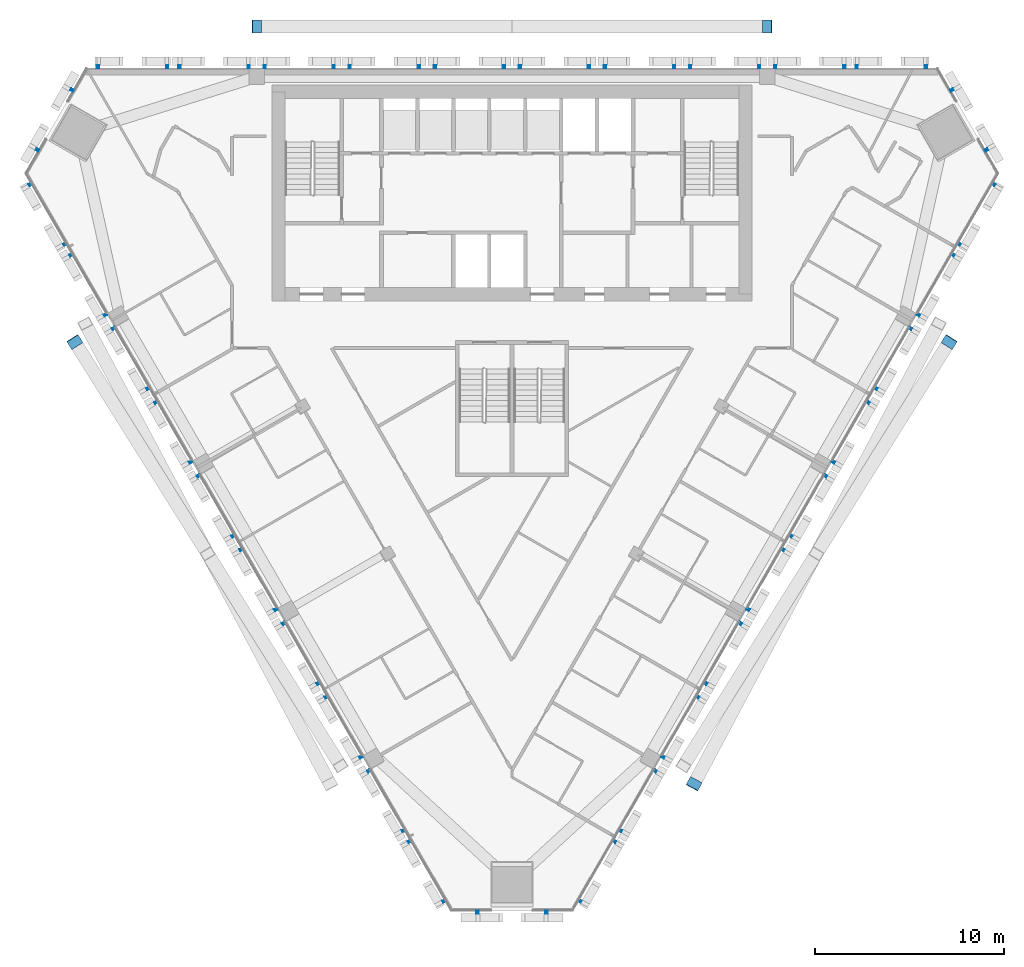
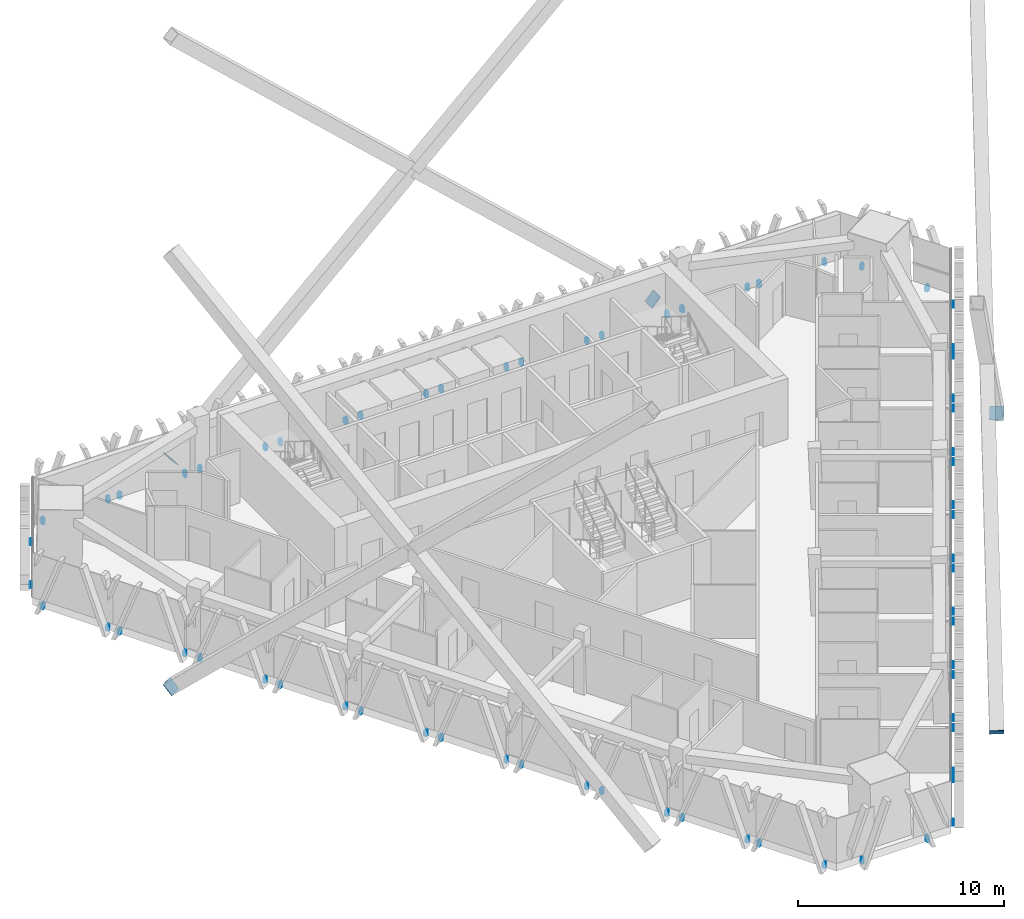
# One storey, part 14 of 17: 11 discrete accessories.
"""IFC4 building model written with IfcOpenShell, lengths in metres."""

import ifcopenshell
import ifcopenshell.guid

model = None  # the IFC model being written
_history = None  # IfcOwnerHistory: only IFC2X3 demands one
_inside = {}  # id of a spatial element -> (the spatial element, [elements in it])
_under = {}  # id of a project, library or spatial element -> (it, [spatial elements below it])
_declared = {}  # id of a project -> (the project, [libraries it declares])
_typed = {}  # id of a type object -> (the type object, [elements of that type])
_made_of = {}  # id of a material, layer set ... -> (it, [elements and type objects made of it])


def new_model(schema):
    """Start an empty IFC model of exactly this schema.

    Asked for "IFC4X3", IfcOpenShell would pick the latest addendum, in which some entities
    have other attributes; the version numbers below select the first issue.
    IFC2X3 requires an IfcOwnerHistory on every rooted entity: one is made here for all.
    """
    global model, _history
    if schema == "IFC4X3":
        model = ifcopenshell.file(schema_version=(4, 3, 0, 0))
    else:
        model = ifcopenshell.file(schema=schema)
    _inside.clear()
    _under.clear()
    _declared.clear()
    _typed.clear()
    _made_of.clear()
    _history = None
    if model.schema == "IFC2X3":
        org = make("IfcOrganization", Name="unknown")
        user = make(
            "IfcPersonAndOrganization",
            ThePerson=make("IfcPerson", FamilyName="unknown"),
            TheOrganization=org,
        )
        app = make(
            "IfcApplication",
            ApplicationDeveloper=org,
            Version="unknown",
            ApplicationFullName="unknown",
            ApplicationIdentifier="unknown",
        )
        _history = make(
            "IfcOwnerHistory",
            OwningUser=user,
            OwningApplication=app,
            ChangeAction="ADDED",
            CreationDate=0,
        )
    return model


def make(cls, **values):
    """One entity of the class cls with the attributes given. An attribute that is None is left unset."""
    return model.create_entity(
        cls, **{name: value for name, value in values.items() if value is not None}
    )


def rooted(cls, **values):
    """An entity with a GlobalId (a new one), such as an element, a storey or a relation."""
    return make(cls, GlobalId=ifcopenshell.guid.new(), OwnerHistory=_history, **values)


def si_unit(unit_type, name, prefix=None):
    """IfcSIUnit, for example si_unit("LENGTHUNIT", "METRE", prefix="MILLI")."""
    return make("IfcSIUnit", UnitType=unit_type, Prefix=prefix, Name=name)


def assignment(units):
    """IfcUnitAssignment: the units of a project."""
    return None if units is None else make("IfcUnitAssignment", Units=units)


def point(xyz):
    """IfcCartesianPoint."""
    return None if xyz is None else make("IfcCartesianPoint", Coordinates=xyz)


def direction(xyz):
    """IfcDirection."""
    return None if xyz is None else make("IfcDirection", DirectionRatios=xyz)


def frame(location, z_axis=None, x_axis=None):
    """IfcAxis2Placement3D, a coordinate frame: its origin and axes. An axis left out is left unset."""
    return make(
        "IfcAxis2Placement3D",
        Location=point(location),
        Axis=direction(z_axis),
        RefDirection=direction(x_axis),
    )


def frame_2d(location, x_axis=None):
    """IfcAxis2Placement2D, a coordinate frame in the plane: its origin and x axis."""
    return make(
        "IfcAxis2Placement2D", Location=point(location), RefDirection=direction(x_axis)
    )


def origin():
    """The frame at (0, 0, 0) with its axes left unset."""
    return frame((0.0, 0.0, 0.0))


def origin_2d():
    """The frame at (0, 0) in the plane with its x axis left unset."""
    return frame_2d((0.0, 0.0))


def place(relative_to, where):
    """IfcLocalPlacement: puts the frame where relative to a parent placement (None: the world)."""
    return make(
        "IfcLocalPlacement", PlacementRelTo=relative_to, RelativePlacement=where
    )


def context(
    kind, dimensions, precision=None, world=None, true_north=None, identifier=None
):
    """IfcGeometricRepresentationContext, for example the 3D "Model" context."""
    return make(
        "IfcGeometricRepresentationContext",
        ContextIdentifier=identifier,
        ContextType=kind,
        CoordinateSpaceDimension=dimensions,
        Precision=precision,
        WorldCoordinateSystem=world,
        TrueNorth=true_north,
    )


def subcontext(parent, identifier, kind, view, scale=None):
    """IfcGeometricRepresentationSubContext, for example "Body" below "Model"."""
    return make(
        "IfcGeometricRepresentationSubContext",
        ContextIdentifier=identifier,
        ContextType=kind,
        ParentContext=parent,
        TargetScale=scale,
        TargetView=view,
    )


def project(units=None, contexts=None):
    """IfcProject with its units and contexts."""
    return rooted(
        "IfcProject",
        Name="project",
        RepresentationContexts=contexts,
        UnitsInContext=assignment(units),
    )


def spatial(cls, under=None, at=None, **own):
    """A site, building, storey or space (cls), placed at a placement, below another one or the project."""
    s = rooted(cls, ObjectPlacement=at, **own)
    if under is not None:
        _under.setdefault(under.id(), (under, []))[1].append(s)
    return s


def polyline(points):
    """IfcPolyline through the points."""
    return make("IfcPolyline", Points=[point(p) for p in points])


def profile(cls, at=None, kind="AREA", **sizes):
    """A parametric profile (cls). Its sizes go by their IFC names, for example OverallWidth=200.0."""
    return make(cls, ProfileType=kind, Position=at, **sizes)


def rectangle(**sizes):
    """IfcRectangleProfileDef."""
    return profile("IfcRectangleProfileDef", **sizes)


def outline(outer, holes=None, kind="AREA"):
    """IfcArbitraryClosedProfileDef: a profile drawn as a closed curve; with holes, ...WithVoids."""
    if holes is None:
        return make("IfcArbitraryClosedProfileDef", ProfileType=kind, OuterCurve=outer)
    return make(
        "IfcArbitraryProfileDefWithVoids",
        ProfileType=kind,
        OuterCurve=outer,
        InnerCurves=holes,
    )


def extrude(swept, where, along, depth):
    """IfcExtrudedAreaSolid: the profile swept, set in the frame where, extruded along a direction by depth."""
    return make(
        "IfcExtrudedAreaSolid",
        SweptArea=swept,
        Position=where,
        ExtrudedDirection=direction(along),
        Depth=depth,
    )


def shape(context_of_items, identifier, shape_type, items):
    """IfcShapeRepresentation: the items that make up one representation, for example the "Body"."""
    return make(
        "IfcShapeRepresentation",
        ContextOfItems=context_of_items,
        RepresentationIdentifier=identifier,
        RepresentationType=shape_type,
        Items=items,
    )


def source(mapping_origin, context_of_items, identifier, shape_type, items):
    """IfcRepresentationMap: a shape defined once, which mapped items show again and again."""
    return make(
        "IfcRepresentationMap",
        MappingOrigin=mapping_origin,
        MappedRepresentation=shape(context_of_items, identifier, shape_type, items),
    )


def transform(
    local_origin,
    x_axis=None,
    y_axis=None,
    z_axis=None,
    scale=None,
    scale2=None,
    scale3=None,
    uniform=True,
):
    """IfcCartesianTransformationOperator3D, or its non-uniform kind. x_axis, y_axis, z_axis: its Axis1, 2, 3."""
    if uniform:
        return make(
            "IfcCartesianTransformationOperator3D",
            Axis1=direction(x_axis),
            Axis2=direction(y_axis),
            LocalOrigin=point(local_origin),
            Scale=scale,
            Axis3=direction(z_axis),
        )
    return make(
        "IfcCartesianTransformationOperator3DnonUniform",
        Axis1=direction(x_axis),
        Axis2=direction(y_axis),
        LocalOrigin=point(local_origin),
        Scale=scale,
        Axis3=direction(z_axis),
        Scale2=scale2,
        Scale3=scale3,
    )


def mapped(mapping_source, mapping_target):
    """IfcMappedItem: shows the shape of a source again, moved by a transform."""
    return make(
        "IfcMappedItem", MappingSource=mapping_source, MappingTarget=mapping_target
    )


def material(Name=None, Category=None):
    """IfcMaterial."""
    return make("IfcMaterial", Name=Name, Category=Category)


def material_profile(
    of_material, cross_section, Name=None, Category=None, Priority=None
):
    """IfcMaterialProfile: a cross section and its material."""
    return make(
        "IfcMaterialProfile",
        Name=Name,
        Material=of_material,
        Profile=cross_section,
        Priority=Priority,
        Category=Category,
    )


def profile_set(profiles, Name=None, composite=None):
    """IfcMaterialProfileSet."""
    return make(
        "IfcMaterialProfileSet",
        Name=Name,
        MaterialProfiles=profiles,
        CompositeProfile=composite,
    )


def made_of(thing, what):
    """Note that an element or type object is made of a material, layer set ...; save() writes the relation."""
    if what is not None:
        _made_of.setdefault(what.id(), (what, []))[1].append(thing)
    return thing


def type_object(cls, material=None, **own):
    """A type object (cls), such as IfcWallType, which elements share."""
    return made_of(rooted(cls, **own), material)


def element(
    cls,
    number,
    at=None,
    inside=None,
    cuts=None,
    type_object=None,
    material=None,
    context=None,
    identifier="Body",
    shape_type=None,
    held_by="IfcProductDefinitionShape",
    body=None,
    shapes=None,
    **own,
):
    """One element of the class cls, such as IfcWall. Its Tag is "e" and its number.

    at: its placement. inside: the storey or other place that contains it. cuts: it is an
    opening in that element (IfcRelVoidsElement). A single representation is given by context,
    identifier, shape_type and body (its items); several are given by shapes. held_by: the class
    of the entity that holds the representations. save() writes the other relations.
    """
    e = rooted(cls, Tag="e%d" % number, ObjectPlacement=at, **own)
    if body is not None:
        shapes = [shape(context, identifier, shape_type, body)]
    if shapes is not None:
        e.Representation = make(held_by, Representations=shapes)
    if inside is not None:
        _inside.setdefault(inside.id(), (inside, []))[1].append(e)
    if cuts is not None:
        rooted(
            "IfcRelVoidsElement", RelatingBuildingElement=cuts, RelatedOpeningElement=e
        )
    if type_object is not None:
        _typed.setdefault(type_object.id(), (type_object, []))[1].append(e)
    return made_of(e, material)


def aggregate(whole, parts):
    """IfcRelAggregates: a whole, such as a stair, and the parts it consists of."""
    return rooted("IfcRelAggregates", RelatingObject=whole, RelatedObjects=parts)


def save(model, path):
    """Write the relations noted so far, then the file.

    IfcRelAggregates (storeys below a building ...), IfcRelContainedInSpatialStructure (elements
    in a storey), IfcRelDefinesByType, IfcRelAssociatesMaterial and IfcRelDeclares: one each for
    every whole, place, type object, material and project.
    """
    for whole, parts in _under.values():
        aggregate(whole, parts)
    for where, things in _inside.values():
        rooted(
            "IfcRelContainedInSpatialStructure",
            RelatedElements=things,
            RelatingStructure=where,
        )
    for kind, things in _typed.values():
        rooted("IfcRelDefinesByType", RelatedObjects=things, RelatingType=kind)
    for what, things in _made_of.values():
        rooted("IfcRelAssociatesMaterial", RelatedObjects=things, RelatingMaterial=what)
    for by, libraries in _declared.values():
        rooted("IfcRelDeclares", RelatingContext=by, RelatedDefinitions=libraries)
    model.write(path)


model = new_model("IFC4")

# Units and contexts
model_context = context("Model", 3, precision=1e-05, world=origin(), true_north=direction((0.0, 1.0)))
body_context = subcontext(model_context, "Body", "Model", "MODEL_VIEW")
ifc_project = project(units=[si_unit("LENGTHUNIT", "METRE"), si_unit("AREAUNIT", "SQUARE_METRE"), si_unit("VOLUMEUNIT", "CUBIC_METRE"), si_unit("PLANEANGLEUNIT", "RADIAN"), si_unit("MASSUNIT", "GRAM", prefix="KILO")], contexts=[model_context])

# Site, building, storey
site_placement = place(None, origin())
site = spatial("IfcSite", under=ifc_project, at=site_placement, CompositionType="ELEMENT")
building_placement = place(site_placement, origin())
building = spatial("IfcBuilding", under=site, at=building_placement, Name="Altiplano Prism Tower", CompositionType="ELEMENT")
storey_placement = place(building_placement, frame((0.0, 0.0, 194.39990234375)))
storey = spatial("IfcBuildingStorey", under=building, at=storey_placement, Name="L50", CompositionType="ELEMENT", Elevation=194.39990234375)

# Discrete accessories
ifc_material_1 = material(Name="Steel S355", Category="steel")
ifc_material_profile = material_profile(ifc_material_1, rectangle(XDim=0.699951171875, YDim=0.699951171875, at=origin_2d()), Name="Brace end plate 700x700x35")
ifc_profile_set = profile_set([ifc_material_profile], Name="Steel S355")
discrete_accessory_type_1 = type_object("IfcDiscreteAccessoryType", Name="Brace end plate 700x700x35", PredefinedType="ANCHORPLATE", material=ifc_profile_set)
for number, where, z_axis, x_axis, name in (
    (1, (98.5, 107.199951171875, -0.7998046875), (-0.734535186294, 0.0, 0.678570600672), (0.0, -1.0, 0.0), "Brace end plate Mega brace 5.0.1 end 1"),
    (2, (71.5, 107.199951171875, -0.7998046875), (0.734535186294, 0.0, 0.678570600672), (0.0, 1.0, 0.0), "Brace end plate Mega brace 5.0.3 end 1"),
    (3, (61.877685546875, 90.53369140625, -0.7998046875), (0.385332106727, -0.616531370763, 0.686591753804), (0.847998304005, 0.529998940003, 0.0), "Brace end plate Mega brace 5.1.1 end 1"),
    (4, (94.622314453125, 67.151123046875, -0.7998046875), (0.350370713147, 0.651689526454, 0.672711769243), (-0.880775023811, 0.473534959038, 0.0), "Brace end plate Mega brace 5.2.1 end 1"),
    (5, (108.122314453125, 90.53369140625, -0.7998046875), (-0.385332106727, -0.616531370763, 0.686591753804), (0.847998304005, -0.529998940003, 0.0), "Brace end plate Mega brace 5.2.3 end 1"),
):
    element("IfcDiscreteAccessory", number, at=place(storey_placement, frame(where, z_axis=z_axis, x_axis=x_axis)), inside=storey, type_object=discrete_accessory_type_1, Name=name, PredefinedType="ANCHORPLATE", context=body_context, shape_type="SweptSolid", body=[
        extrude(rectangle(XDim=0.699951171875, YDim=0.699951171875, at=origin_2d()), origin(), (0.0, 0.0, 1.0), 0.034912109375),
    ])
ifc_material_2 = material(Name="Stainless steel", Category="steel")
discrete_accessory_type_2 = type_object("IfcDiscreteAccessoryType", Name="Stone fin fixing prongs", PredefinedType="USERDEFINED", material=ifc_material_2)
shared_shape_1 = source(origin(), body_context, "Body", "SweptSolid", [
    extrude(outline(polyline([(-1.888427734375, 0.06005859375), (-1.768310546875, 0.06005859375), (-1.768310546875, 0.389892578125), (-1.888427734375, 0.389892578125), (-1.888427734375, 0.06005859375)])), frame((0.0, 0.0, 0.0), z_axis=(0.0, -1.0, 0.0), x_axis=(1.0, 0.0, 0.0)), (0.0, 0.0, 1.0), 0.14990234375),
    extrude(outline(polyline([(1.768310546875, 0.06005859375), (1.888427734375, 0.06005859375), (1.888427734375, 0.389892578125), (1.768310546875, 0.389892578125), (1.768310546875, 0.06005859375)])), frame((0.0, 0.0, 0.0), z_axis=(0.0, -1.0, 0.0), x_axis=(1.0, 0.0, 0.0)), (0.0, 0.0, 1.0), 0.14990234375),
])
discrete_accessory_1_placement = place(storey_placement, origin())
element("IfcDiscreteAccessory", 6, at=discrete_accessory_1_placement, inside=storey, type_object=discrete_accessory_type_2, Name="Fin fixings L50 north-west chamfer", ObjectType="BRACKET", PredefinedType="USERDEFINED", context=body_context, shape_type="MappedRepresentation", body=[
    mapped(shared_shape_1, transform((60.881591796875, 102.2197265625, -0.449951171875), x_axis=(-0.499999923104, -0.86602544818, 0.0), y_axis=(0.86602544818, -0.499999923104, 0.0), z_axis=(0.0, 0.0, 1.0))),
])
discrete_accessory_2_placement = place(storey_placement, origin())
element("IfcDiscreteAccessory", 7, at=discrete_accessory_2_placement, inside=storey, type_object=discrete_accessory_type_2, Name="Fin fixings L50 south chamfer", ObjectType="BRACKET", PredefinedType="USERDEFINED", context=body_context, shape_type="MappedRepresentation", body=[
    mapped(shared_shape_1, transform((85.0, 60.445556640625, -0.449951171875), x_axis=(1.0, 0.0, 0.0), y_axis=(0.0, 1.0, 0.0), z_axis=(0.0, 0.0, 1.0))),
])
discrete_accessory_3_placement = place(storey_placement, origin())
element("IfcDiscreteAccessory", 8, at=discrete_accessory_3_placement, inside=storey, type_object=discrete_accessory_type_2, Name="Fin fixings L50 north-east chamfer", ObjectType="BRACKET", PredefinedType="USERDEFINED", context=body_context, shape_type="MappedRepresentation", body=[
    mapped(shared_shape_1, transform((109.118408203125, 102.2197265625, -0.449951171875), x_axis=(-0.499999923104, 0.86602544818, 0.0), y_axis=(-0.86602544818, -0.499999923104, 0.0), z_axis=(0.0, 0.0, 1.0))),
])
shared_shape_2 = source(origin(), body_context, "Body", "SweptSolid", [
    extrude(outline(polyline([(-1.888427734375, 0.06005859375), (-1.768310546875, 0.06005859375), (-1.768310546875, 0.389892578125), (-1.888427734375, 0.389892578125), (-1.888427734375, 0.06005859375)])), frame((0.0, 0.0, 0.0), z_axis=(0.0, -1.0, 0.0), x_axis=(1.0, 0.0, 0.0)), (0.0, 0.0, 1.0), 0.14990234375),
    extrude(outline(polyline([(1.768310546875, 0.06005859375), (1.888427734375, 0.06005859375), (1.888427734375, 0.389892578125), (1.768310546875, 0.389892578125), (1.768310546875, 0.06005859375)])), frame((0.0, 0.0, 0.0), z_axis=(0.0, -1.0, 0.0), x_axis=(1.0, 0.0, 0.0)), (0.0, 0.0, 1.0), 0.14990234375),
])
shared_shape_3 = source(origin(), body_context, "Body", "SweptSolid", [
    extrude(outline(polyline([(-1.888427734375, 0.06005859375), (-1.768310546875, 0.06005859375), (-1.768310546875, 0.389892578125), (-1.888427734375, 0.389892578125), (-1.888427734375, 0.06005859375)])), frame((0.0, 0.0, 0.0), z_axis=(0.0, -1.0, 0.0), x_axis=(1.0, 0.0, 0.0)), (0.0, 0.0, 1.0), 0.14990234375),
    extrude(outline(polyline([(1.768310546875, 0.06005859375), (1.888427734375, 0.06005859375), (1.888427734375, 0.389892578125), (1.768310546875, 0.389892578125), (1.768310546875, 0.06005859375)])), frame((0.0, 0.0, 0.0), z_axis=(0.0, -1.0, 0.0), x_axis=(1.0, 0.0, 0.0)), (0.0, 0.0, 1.0), 0.14990234375),
])
discrete_accessory_4_placement = place(storey_placement, origin())
element("IfcDiscreteAccessory", 9, at=discrete_accessory_4_placement, inside=storey, type_object=discrete_accessory_type_2, Name="Fin fixings L50 north face", ObjectType="BRACKET", PredefinedType="USERDEFINED", context=body_context, shape_type="MappedRepresentation", body=[
    mapped(shared_shape_2, transform((105.056640625, 105.0, -0.449951171875), x_axis=(-1.0, 0.0, 0.0), y_axis=(0.0, -1.0, 0.0), z_axis=(0.0, 0.0, 1.0))),
    mapped(shared_shape_3, transform((100.75, 105.0, -0.449951171875), x_axis=(-1.0, 0.0, 0.0), y_axis=(0.0, -1.0, 0.0), z_axis=(0.0, 0.0, 1.0))),
    mapped(shared_shape_3, transform((96.25, 105.0, -0.449951171875), x_axis=(-1.0, 0.0, 0.0), y_axis=(0.0, -1.0, 0.0), z_axis=(0.0, 0.0, 1.0))),
    mapped(shared_shape_3, transform((91.75, 105.0, -0.449951171875), x_axis=(-1.0, 0.0, 0.0), y_axis=(0.0, -1.0, 0.0), z_axis=(0.0, 0.0, 1.0))),
    mapped(shared_shape_3, transform((87.25, 105.0, -0.449951171875), x_axis=(-1.0, 0.0, 0.0), y_axis=(0.0, -1.0, 0.0), z_axis=(0.0, 0.0, 1.0))),
    mapped(shared_shape_3, transform((82.75, 105.0, -0.449951171875), x_axis=(-1.0, 0.0, 0.0), y_axis=(0.0, -1.0, 0.0), z_axis=(0.0, 0.0, 1.0))),
    mapped(shared_shape_3, transform((78.25, 105.0, -0.449951171875), x_axis=(-1.0, 0.0, 0.0), y_axis=(0.0, -1.0, 0.0), z_axis=(0.0, 0.0, 1.0))),
    mapped(shared_shape_3, transform((73.75, 105.0, -0.449951171875), x_axis=(-1.0, 0.0, 0.0), y_axis=(0.0, -1.0, 0.0), z_axis=(0.0, 0.0, 1.0))),
    mapped(shared_shape_3, transform((69.25, 105.0, -0.449951171875), x_axis=(-1.0, 0.0, 0.0), y_axis=(0.0, -1.0, 0.0), z_axis=(0.0, 0.0, 1.0))),
    mapped(shared_shape_2, transform((64.943359375, 105.0, -0.449951171875), x_axis=(-1.0, 0.0, 0.0), y_axis=(0.0, -1.0, 0.0), z_axis=(0.0, 0.0, 1.0))),
])
shared_shape_4 = source(origin(), body_context, "Body", "SweptSolid", [
    extrude(outline(polyline([(-1.888427734375, 0.06005859375), (-1.768310546875, 0.06005859375), (-1.768310546875, 0.389892578125), (-1.888427734375, 0.389892578125), (-1.888427734375, 0.06005859375)])), frame((0.0, 0.0, 0.0), z_axis=(0.0, -1.0, 0.0), x_axis=(1.0, 0.0, 0.0)), (0.0, 0.0, 1.0), 0.14990234375),
    extrude(outline(polyline([(1.768310546875, 0.06005859375), (1.888427734375, 0.06005859375), (1.888427734375, 0.389892578125), (1.768310546875, 0.389892578125), (1.768310546875, 0.06005859375)])), frame((0.0, 0.0, 0.0), z_axis=(0.0, -1.0, 0.0), x_axis=(1.0, 0.0, 0.0)), (0.0, 0.0, 1.0), 0.14990234375),
])
discrete_accessory_5_placement = place(storey_placement, origin())
element("IfcDiscreteAccessory", 10, at=discrete_accessory_5_placement, inside=storey, type_object=discrete_accessory_type_2, Name="Fin fixings L50 south-west face", ObjectType="BRACKET", PredefinedType="USERDEFINED", context=body_context, shape_type="MappedRepresentation", body=[
    mapped(shared_shape_2, transform((60.504638671875, 97.31201171875, -0.449951171875), x_axis=(0.499999989059, -0.866025410101, 0.0), y_axis=(0.866025410101, 0.499999989059, 0.0), z_axis=(0.0, 0.0, 1.0))),
    mapped(shared_shape_3, transform((62.657958984375, 93.582275390625, -0.449951171875), x_axis=(0.499999989059, -0.866025410101, 0.0), y_axis=(0.866025410101, 0.499999989059, 0.0), z_axis=(0.0, 0.0, 1.0))),
    mapped(shared_shape_3, transform((64.907958984375, 89.68505859375, -0.449951171875), x_axis=(0.499999989059, -0.866025410101, 0.0), y_axis=(0.866025410101, 0.499999989059, 0.0), z_axis=(0.0, 0.0, 1.0))),
    mapped(shared_shape_3, transform((67.157958984375, 85.7880859375, -0.449951171875), x_axis=(0.499999989059, -0.866025410101, 0.0), y_axis=(0.866025410101, 0.499999989059, 0.0), z_axis=(0.0, 0.0, 1.0))),
    mapped(shared_shape_3, transform((69.407958984375, 81.890869140625, -0.449951171875), x_axis=(0.499999989059, -0.866025410101, 0.0), y_axis=(0.866025410101, 0.499999989059, 0.0), z_axis=(0.0, 0.0, 1.0))),
    mapped(shared_shape_3, transform((71.657958984375, 77.993896484375, -0.449951171875), x_axis=(0.499999989059, -0.866025410101, 0.0), y_axis=(0.866025410101, 0.499999989059, 0.0), z_axis=(0.0, 0.0, 1.0))),
    mapped(shared_shape_3, transform((73.907958984375, 74.0966796875, -0.449951171875), x_axis=(0.499999989059, -0.866025410101, 0.0), y_axis=(0.866025410101, 0.499999989059, 0.0), z_axis=(0.0, 0.0, 1.0))),
    mapped(shared_shape_4, transform((76.157958984375, 70.19970703125, -0.449951171875), x_axis=(0.499999989059, -0.866025410101, 0.0), y_axis=(0.866025410101, 0.499999989059, 0.0), z_axis=(0.0, 0.0, 1.0))),
    mapped(shared_shape_3, transform((78.407958984375, 66.302490234375, -0.449951171875), x_axis=(0.499999989059, -0.866025410101, 0.0), y_axis=(0.866025410101, 0.499999989059, 0.0), z_axis=(0.0, 0.0, 1.0))),
    mapped(shared_shape_2, transform((80.561279296875, 62.572998046875, -0.449951171875), x_axis=(0.499999989059, -0.866025410101, 0.0), y_axis=(0.866025410101, 0.499999989059, 0.0), z_axis=(0.0, 0.0, 1.0))),
])
discrete_accessory_6_placement = place(storey_placement, origin())
element("IfcDiscreteAccessory", 11, at=discrete_accessory_6_placement, inside=storey, type_object=discrete_accessory_type_2, Name="Fin fixings L50 south-east face", ObjectType="BRACKET", PredefinedType="USERDEFINED", context=body_context, shape_type="MappedRepresentation", body=[
    mapped(shared_shape_2, transform((89.438720703125, 62.572998046875, -0.449951171875), x_axis=(0.499999989059, 0.866025410101, 0.0), y_axis=(-0.866025410101, 0.499999989059, 0.0), z_axis=(0.0, 0.0, 1.0))),
    mapped(shared_shape_3, transform((91.592041015625, 66.302490234375, -0.449951171875), x_axis=(0.499999989059, 0.866025410101, 0.0), y_axis=(-0.866025410101, 0.499999989059, 0.0), z_axis=(0.0, 0.0, 1.0))),
    mapped(shared_shape_3, transform((93.842041015625, 70.19970703125, -0.449951171875), x_axis=(0.499999989059, 0.866025410101, 0.0), y_axis=(-0.866025410101, 0.499999989059, 0.0), z_axis=(0.0, 0.0, 1.0))),
    mapped(shared_shape_3, transform((96.092041015625, 74.0966796875, -0.449951171875), x_axis=(0.499999989059, 0.866025410101, 0.0), y_axis=(-0.866025410101, 0.499999989059, 0.0), z_axis=(0.0, 0.0, 1.0))),
    mapped(shared_shape_3, transform((98.342041015625, 77.993896484375, -0.449951171875), x_axis=(0.499999989059, 0.866025410101, 0.0), y_axis=(-0.866025410101, 0.499999989059, 0.0), z_axis=(0.0, 0.0, 1.0))),
    mapped(shared_shape_3, transform((100.592041015625, 81.890869140625, -0.449951171875), x_axis=(0.499999989059, 0.866025410101, 0.0), y_axis=(-0.866025410101, 0.499999989059, 0.0), z_axis=(0.0, 0.0, 1.0))),
    mapped(shared_shape_3, transform((102.842041015625, 85.7880859375, -0.449951171875), x_axis=(0.499999989059, 0.866025410101, 0.0), y_axis=(-0.866025410101, 0.499999989059, 0.0), z_axis=(0.0, 0.0, 1.0))),
    mapped(shared_shape_4, transform((105.092041015625, 89.685302734375, -0.449951171875), x_axis=(0.499999989059, 0.866025410101, 0.0), y_axis=(-0.866025410101, 0.499999989059, 0.0), z_axis=(0.0, 0.0, 1.0))),
    mapped(shared_shape_3, transform((107.342041015625, 93.582275390625, -0.449951171875), x_axis=(0.499999989059, 0.866025410101, 0.0), y_axis=(-0.866025410101, 0.499999989059, 0.0), z_axis=(0.0, 0.0, 1.0))),
    mapped(shared_shape_2, transform((109.495361328125, 97.31201171875, -0.449951171875), x_axis=(0.499999989059, 0.866025410101, 0.0), y_axis=(-0.866025410101, 0.499999989059, 0.0), z_axis=(0.0, 0.0, 1.0))),
])

save(model, "model.ifc")
